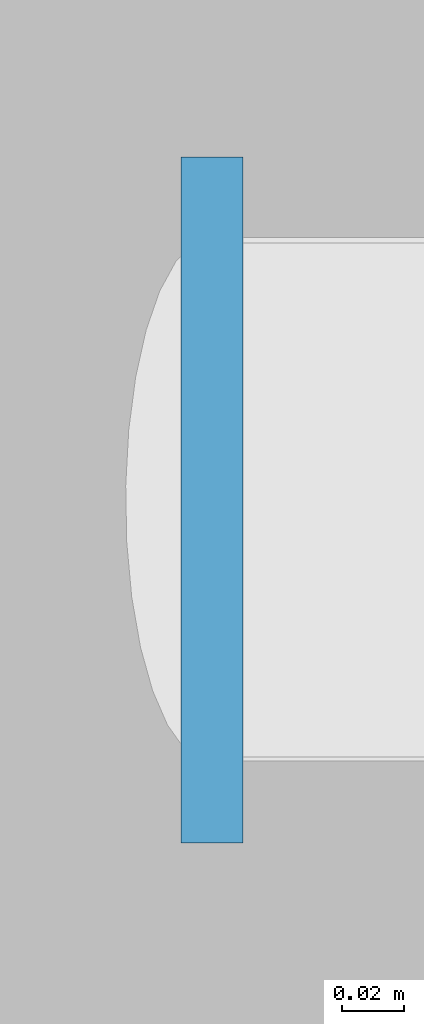
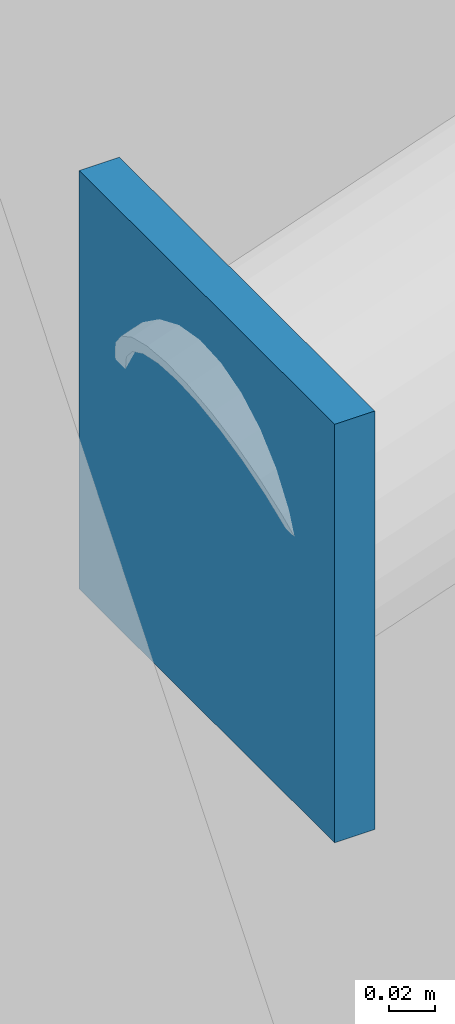
# One storey, part 17 of 24: 1 plate.
"""IFC4 building model written with IfcOpenShell, lengths in metres."""

from ifc_helpers import new_model, si_unit, direction, frame, origin, origin_2d, place, context, subcontext, project, spatial, rectangle, extrude, material, layer, layer_set, type_object, element, save


model = new_model("IFC4")

# Units and contexts
model_context = context("Model", 3, precision=1e-05, world=origin(), true_north=direction((0.0, 1.0)))
body_context = subcontext(model_context, "Body", "Model", "MODEL_VIEW")
ifc_project = project(units=[si_unit("LENGTHUNIT", "METRE"), si_unit("AREAUNIT", "SQUARE_METRE"), si_unit("VOLUMEUNIT", "CUBIC_METRE"), si_unit("PLANEANGLEUNIT", "RADIAN"), si_unit("MASSUNIT", "GRAM", prefix="KILO")], contexts=[model_context])

# Site, building, storey
site_placement = place(None, origin())
site = spatial("IfcSite", under=ifc_project, at=site_placement, CompositionType="ELEMENT")
building_placement = place(site_placement, origin())
building = spatial("IfcBuilding", under=site, at=building_placement, Name="Menara Jurai Vektor", CompositionType="ELEMENT")
storey_placement = place(building_placement, origin())
storey = spatial("IfcBuildingStorey", under=building, at=storey_placement, Name="L00", CompositionType="ELEMENT", Elevation=0.0)

# Plate
ifc_material = material(Name="Steel S355", Category="steel")
ifc_layer = layer(ifc_material, 0.02001953125)
ifc_layer_set = layer_set([ifc_layer], Name="Steel S355")
plate_type = type_object("IfcPlateType", Name="STR-PLT-ANCH20", PredefinedType="SHEET", material=ifc_layer_set)
plate_placement = place(storey_placement, frame((22.0, 2.10009765625, 2.7900390625), z_axis=(0.0, 0.0, 1.0), x_axis=(0.0, 1.0, 0.0)))
element("IfcPlate", 1, at=plate_placement, inside=storey, type_object=plate_type, Name="Canopy Strut Anchor Plate E6-2", PredefinedType="SHEET", context=body_context, shape_type="SweptSolid", body=[
    extrude(rectangle(XDim=0.219970703125, YDim=0.02001953125, at=origin_2d()), origin(), (0.0, 0.0, 1.0), 0.219970703125),
])

save(model, "model.ifc")
